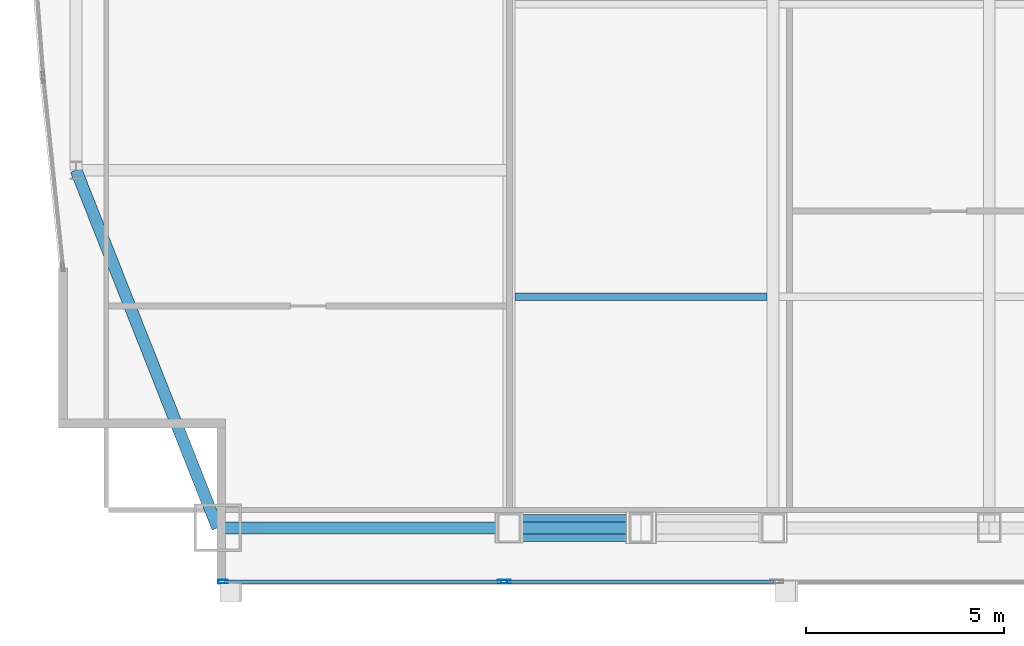
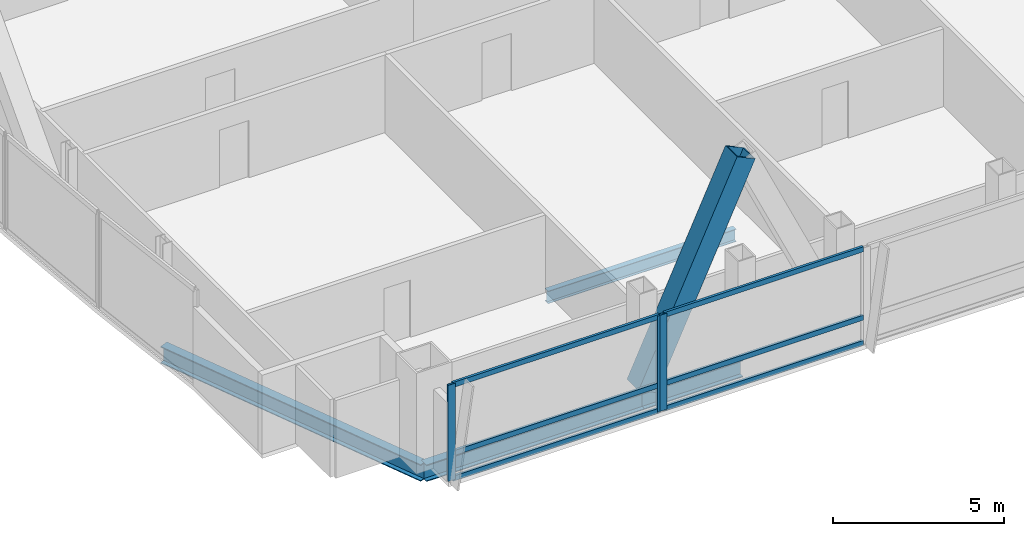
# One storey, part 5 of 32: 10 members, 4 beams, 2 elements without a shape of their own.
"""IFC4 building model written with IfcOpenShell, lengths in metres."""

from ifc_helpers import new_model, si_unit, direction, frame, origin, origin_2d, place, context, subcontext, project, spatial, hollow_rectangle, i_section, extrude, material, material_profile, profile_set, type_object, element, aggregate, save


model = new_model("IFC4")

# Units and contexts
model_context = context("Model", 3, precision=1e-05, world=origin(), true_north=direction((0.0, 1.0)))
body_context = subcontext(model_context, "Body", "Model", "MODEL_VIEW")
ifc_project = project(units=[si_unit("LENGTHUNIT", "METRE"), si_unit("AREAUNIT", "SQUARE_METRE"), si_unit("VOLUMEUNIT", "CUBIC_METRE"), si_unit("PLANEANGLEUNIT", "RADIAN"), si_unit("MASSUNIT", "GRAM", prefix="KILO")], contexts=[model_context])

# Site, building, storey
site_placement = place(None, origin())
site = spatial("IfcSite", under=ifc_project, at=site_placement, CompositionType="ELEMENT")
building_placement = place(site_placement, origin())
building = spatial("IfcBuilding", under=site, at=building_placement, Name="Khoronbel Lancet Exchange", CompositionType="ELEMENT")
storey_placement = place(building_placement, frame((0.0, 0.0, 231.800048828125)))
storey = spatial("IfcBuildingStorey", under=building, at=storey_placement, Name="L59", CompositionType="ELEMENT", Elevation=231.800048828125)

# Beams
ifc_material_1 = material(Name="Steel S355", Category="steel")
ifc_material_profile_1 = material_profile(ifc_material_1, i_section(OverallWidth=0.18994140625, OverallDepth=0.449951171875, WebThickness=0.009521484375, FlangeThickness=0.0146484375, at=origin_2d()), Name="IPE 450")
ifc_profile_set_1 = profile_set([ifc_material_profile_1], Name="Steel S355")
beam_type_1 = type_object("IfcBeamType", Name="BM-BJ4", PredefinedType="JOIST", material=ifc_profile_set_1)
beam_1_placement = place(storey_placement, frame((18.375, 16.0, -0.385009765625), z_axis=(1.0, 0.0, 0.0), x_axis=(0.0, 1.0, 0.0)))
element("IfcBeam", 1, at=beam_1_placement, inside=storey, type_object=beam_type_1, Name="Level L59 secondary composite joist J01", PredefinedType="JOIST", context=body_context, shape_type="SweptSolid", body=[
    extrude(i_section(OverallWidth=0.18994140625, OverallDepth=0.449951171875, WebThickness=0.009521484375, FlangeThickness=0.0146484375, at=origin_2d()), origin(), (0.0, 0.0, 1.0), 6.375),
])
ifc_material_profile_2 = material_profile(ifc_material_1, i_section(OverallWidth=0.300048828125, OverallDepth=0.60009765625, WebThickness=0.015380859375, FlangeThickness=0.030029296875, at=origin_2d()), Name="HEB 600")
ifc_profile_set_2 = profile_set([ifc_material_profile_2], Name="Steel S355")
beam_type_2 = type_object("IfcBeamType", Name="BM-BSP2", PredefinedType="SPANDREL", material=ifc_profile_set_2)
beam_2_placement = place(storey_placement, frame((10.85009765625, 10.14990234375, -0.4599609375), z_axis=(1.0, 0.0, 0.0), x_axis=(0.0, 1.0, 0.0)))
element("IfcBeam", 2, at=beam_2_placement, inside=storey, type_object=beam_type_2, Name="Level L59 perimeter spandrel beam SP01", PredefinedType="SPANDREL", context=body_context, shape_type="SweptSolid", body=[
    extrude(i_section(OverallWidth=0.300048828125, OverallDepth=0.60009765625, WebThickness=0.015380859375, FlangeThickness=0.030029296875, at=origin_2d()), origin(), (0.0, 0.0, 1.0), 7.375),
])
beam_3_placement = place(storey_placement, frame((18.22509765625, 10.14990234375, -0.4599609375), z_axis=(1.0, 0.0, 0.0), x_axis=(0.0, 1.0, 0.0)))
element("IfcBeam", 3, at=beam_3_placement, inside=storey, type_object=beam_type_2, Name="Level L59 perimeter spandrel beam SP02", PredefinedType="SPANDREL", context=body_context, shape_type="SweptSolid", body=[
    extrude(i_section(OverallWidth=0.300048828125, OverallDepth=0.60009765625, WebThickness=0.015380859375, FlangeThickness=0.030029296875, at=origin_2d()), origin(), (0.0, 0.0, 1.0), 3.33740234375),
])
beam_4_placement = place(storey_placement, frame((7.27001953125, 19.199951171875, -0.4599609375), z_axis=(0.367850095026, -0.92988510451, 0.0), x_axis=(0.92988510451, 0.367850095026, 0.0)))
element("IfcBeam", 4, at=beam_4_placement, inside=storey, type_object=beam_type_2, Name="Level L59 perimeter spandrel beam SP21", PredefinedType="SPANDREL", context=body_context, shape_type="SweptSolid", body=[
    extrude(i_section(OverallWidth=0.300048828125, OverallDepth=0.60009765625, WebThickness=0.015380859375, FlangeThickness=0.030029296875, at=origin_2d()), origin(), (0.0, 0.0, 1.0), 9.732421875),
])

# Curtain wall, members
ifc_material_2 = material(Name="Low-E Solar Control Insulating Glass", Category="glass")
curtain_wall_type = type_object("IfcCurtainWallType", Name="CW-3", PredefinedType="NOTDEFINED", material=ifc_material_2)
curtain_wall_1_placement = place(storey_placement, origin())
curtain_wall_1 = element("IfcCurtainWall", 5, at=curtain_wall_1_placement, inside=storey, type_object=curtain_wall_type, Name="Unitised curtain wall CW-L59-SWV", PredefinedType="NOTDEFINED")
ifc_material_3 = material(Name="Bronze-Anodised Aluminium 6063-T6", Category="aluminium")
ifc_material_profile_3 = material_profile(ifc_material_3, hollow_rectangle(XDim=0.0849609375, YDim=0.239990234375, WallThickness=0.006103515625, at=origin_2d()), Name="ALU MULLION 85x240")
ifc_profile_set_3 = profile_set([ifc_material_profile_3], Name="Bronze-Anodised Aluminium 6063-T6")
member_type_1 = type_object("IfcMemberType", Name="MEM-CWM1", PredefinedType="MULLION", material=ifc_profile_set_3)
member_1_placement = place(storey_placement, frame((10.982421875, 8.7900390625, 0.0), z_axis=(0.0, 0.0, 1.0), x_axis=(0.0, 1.0, 0.0)))
member_1 = element("IfcMember", 6, at=member_1_placement, type_object=member_type_1, Name="CW3 mullion 1", PredefinedType="MULLION", context=body_context, shape_type="SweptSolid", body=[
    extrude(hollow_rectangle(XDim=0.0849609375, YDim=0.239990234375, WallThickness=0.006103515625, at=origin_2d()), origin(), (0.0, 0.0, 1.0), 3.43994140625),
])
member_2_placement = place(storey_placement, frame((18.0576171875, 8.7900390625, 0.0), z_axis=(0.0, 0.0, 1.0), x_axis=(0.0, 1.0, 0.0)))
member_2 = element("IfcMember", 7, at=member_2_placement, type_object=member_type_1, Name="CW3 mullion 2", PredefinedType="MULLION", context=body_context, shape_type="SweptSolid", body=[
    extrude(hollow_rectangle(XDim=0.0849609375, YDim=0.239990234375, WallThickness=0.006103515625, at=origin_2d()), origin(), (0.0, 0.0, 1.0), 3.43994140625),
])

# Curtain wall, member
curtain_wall_2_placement = place(storey_placement, origin())
curtain_wall_2 = element("IfcCurtainWall", 8, at=curtain_wall_2_placement, inside=storey, type_object=curtain_wall_type, Name="Unitised curtain wall CW-L59-SWB", PredefinedType="NOTDEFINED")
member_3_placement = place(storey_placement, frame((18.142578125, 8.7900390625, 0.0), z_axis=(0.0, 0.0, 1.0), x_axis=(0.0, 1.0, 0.0)))
member_3 = element("IfcMember", 9, at=member_3_placement, type_object=member_type_1, Name="CW3 mullion 1", PredefinedType="MULLION", context=body_context, shape_type="SweptSolid", body=[
    extrude(hollow_rectangle(XDim=0.0849609375, YDim=0.239990234375, WallThickness=0.006103515625, at=origin_2d()), origin(), (0.0, 0.0, 1.0), 3.43994140625),
])

# Member
ifc_material_profile_4 = material_profile(ifc_material_3, hollow_rectangle(XDim=0.0849609375, YDim=0.179931640625, WallThickness=0.0048828125, at=origin_2d()), Name="ALU TRANSOM 85x180")
ifc_profile_set_4 = profile_set([ifc_material_profile_4], Name="Bronze-Anodised Aluminium 6063-T6")
member_type_2 = type_object("IfcMemberType", Name="MEM-CWT1", PredefinedType="USERDEFINED", material=ifc_profile_set_4)
member_4_placement = place(storey_placement, frame((11.02490234375, 8.7900390625, 0.04248046875), z_axis=(1.0, 0.0, 0.0), x_axis=(0.0, 1.0, 0.0)))
member_4 = element("IfcMember", 10, at=member_4_placement, type_object=member_type_2, Name="CW3 transom 1.1", ObjectType="TRANSOM", PredefinedType="USERDEFINED", context=body_context, shape_type="SweptSolid", body=[
    extrude(hollow_rectangle(XDim=0.0849609375, YDim=0.179931640625, WallThickness=0.0048828125, at=origin_2d()), origin(), (0.0, 0.0, 1.0), 6.989990234375),
])

member_5_placement = place(storey_placement, frame((11.02490234375, 8.7900390625, 0.949951171875), z_axis=(1.0, 0.0, 0.0), x_axis=(0.0, 1.0, 0.0)))
member_5 = element("IfcMember", 11, at=member_5_placement, type_object=member_type_2, Name="CW3 transom 1.2", ObjectType="TRANSOM", PredefinedType="USERDEFINED", context=body_context, shape_type="SweptSolid", body=[
    extrude(hollow_rectangle(XDim=0.0849609375, YDim=0.179931640625, WallThickness=0.0048828125, at=origin_2d()), origin(), (0.0, 0.0, 1.0), 6.989990234375),
])

member_6_placement = place(storey_placement, frame((11.02490234375, 8.7900390625, 3.3974609375), z_axis=(1.0, 0.0, 0.0), x_axis=(0.0, 1.0, 0.0)))
member_6 = element("IfcMember", 12, at=member_6_placement, type_object=member_type_2, Name="CW3 transom 1.3", ObjectType="TRANSOM", PredefinedType="USERDEFINED", context=body_context, shape_type="SweptSolid", body=[
    extrude(hollow_rectangle(XDim=0.0849609375, YDim=0.179931640625, WallThickness=0.0048828125, at=origin_2d()), origin(), (0.0, 0.0, 1.0), 6.989990234375),
])

aggregate(curtain_wall_1, [member_1, member_2, member_4, member_5, member_6])

member_7_placement = place(storey_placement, frame((18.18505859375, 8.7900390625, 0.04248046875), z_axis=(1.0, 0.0, 0.0), x_axis=(0.0, 1.0, 0.0)))
member_7 = element("IfcMember", 13, at=member_7_placement, type_object=member_type_2, Name="CW3 transom 1.1", ObjectType="TRANSOM", PredefinedType="USERDEFINED", context=body_context, shape_type="SweptSolid", body=[
    extrude(hollow_rectangle(XDim=0.0849609375, YDim=0.179931640625, WallThickness=0.0048828125, at=origin_2d()), origin(), (0.0, 0.0, 1.0), 6.72998046875),
])

member_8_placement = place(storey_placement, frame((18.18505859375, 8.7900390625, 0.949951171875), z_axis=(1.0, 0.0, 0.0), x_axis=(0.0, 1.0, 0.0)))
member_8 = element("IfcMember", 14, at=member_8_placement, type_object=member_type_2, Name="CW3 transom 1.2", ObjectType="TRANSOM", PredefinedType="USERDEFINED", context=body_context, shape_type="SweptSolid", body=[
    extrude(hollow_rectangle(XDim=0.0849609375, YDim=0.179931640625, WallThickness=0.0048828125, at=origin_2d()), origin(), (0.0, 0.0, 1.0), 6.72998046875),
])

member_9_placement = place(storey_placement, frame((18.18505859375, 8.7900390625, 3.3974609375), z_axis=(1.0, 0.0, 0.0), x_axis=(0.0, 1.0, 0.0)))
member_9 = element("IfcMember", 15, at=member_9_placement, type_object=member_type_2, Name="CW3 transom 1.3", ObjectType="TRANSOM", PredefinedType="USERDEFINED", context=body_context, shape_type="SweptSolid", body=[
    extrude(hollow_rectangle(XDim=0.0849609375, YDim=0.179931640625, WallThickness=0.0048828125, at=origin_2d()), origin(), (0.0, 0.0, 1.0), 6.72998046875),
])

aggregate(curtain_wall_2, [member_3, member_7, member_8, member_9])

ifc_material_4 = material(Name="Steel S460", Category="steel")
ifc_material_profile_5 = material_profile(ifc_material_4, hollow_rectangle(XDim=0.679931640625, YDim=0.679931640625, WallThickness=0.044921875, at=origin_2d()), Name="BOX 680x680x45")
ifc_profile_set_5 = profile_set([ifc_material_profile_5], Name="Steel S460")
member_type_3 = type_object("IfcMemberType", Name="MEM-MB3", PredefinedType="BRACE", material=ifc_profile_set_5)
member_10_placement = place(storey_placement, frame((18.22509765625, 10.14990234375, 0.0), z_axis=(0.420548106082, 0.0, 0.907270241147), x_axis=(0.0, 1.0, 0.0)))
element("IfcMember", 16, at=member_10_placement, inside=storey, type_object=member_type_3, Name="Perimeter lancet brace tier 20 S-W-L", PredefinedType="BRACE", context=body_context, shape_type="SweptSolid", body=[
    extrude(hollow_rectangle(XDim=0.679931640625, YDim=0.679931640625, WallThickness=0.044921875, at=origin_2d()), origin(), (0.0, 0.0, 1.0), 7.935791015625),
])

save(model, "model.ifc")
